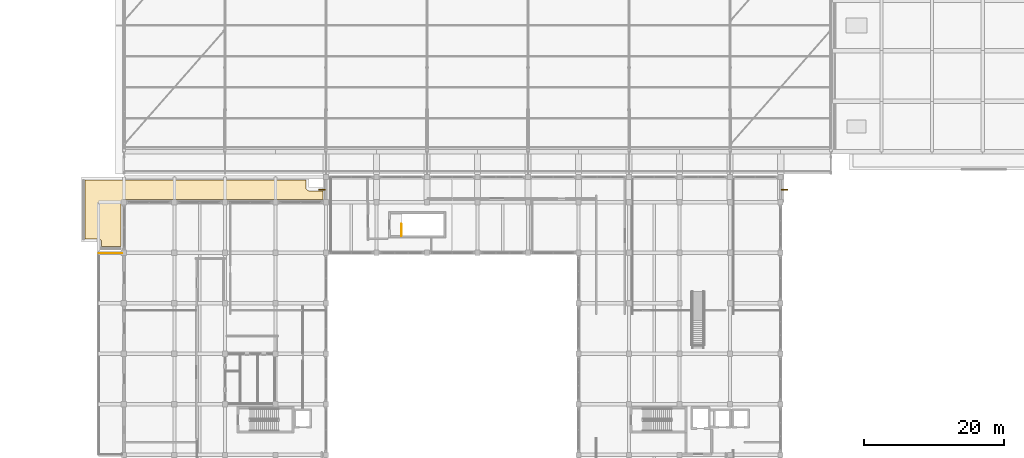
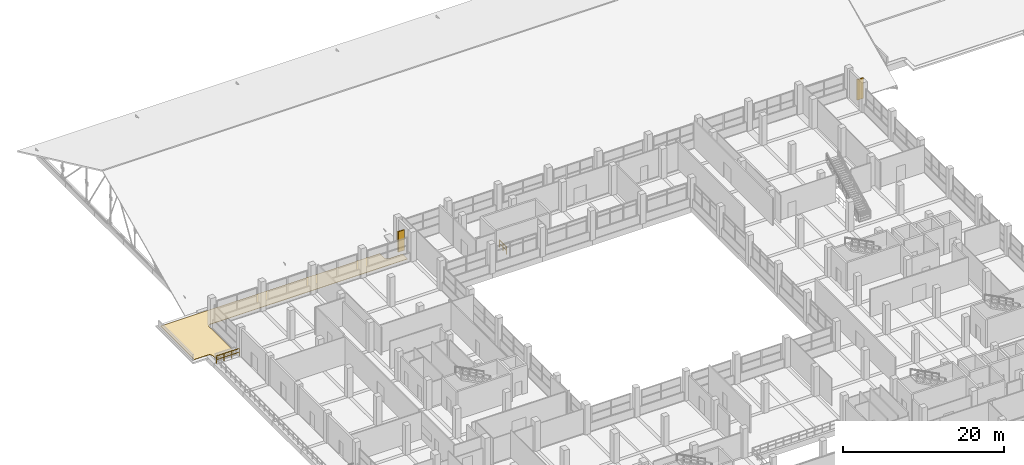
# One storey, part 140 of 141: 2 railings, 2 shading devices, 1 covering.
"""IFC4 building model written with IfcOpenShell, lengths in metres."""

from ifc_helpers import new_model, si_unit, direction, frame, origin, origin_2d, place, context, subcontext, project, spatial, polyline, rectangle, circle, outline, extrude, material, layer, layer_set, type_object, element, save


model = new_model("IFC4")

# Units and contexts
model_context = context("Model", 3, precision=1e-05, world=origin(), true_north=direction((0.0, 1.0)))
body_context = subcontext(model_context, "Body", "Model", "MODEL_VIEW")
ifc_project = project(units=[si_unit("LENGTHUNIT", "METRE"), si_unit("AREAUNIT", "SQUARE_METRE"), si_unit("VOLUMEUNIT", "CUBIC_METRE"), si_unit("PLANEANGLEUNIT", "RADIAN"), si_unit("MASSUNIT", "GRAM", prefix="KILO")], contexts=[model_context])

# Site, building, storey
site_placement = place(None, origin())
site = spatial("IfcSite", under=ifc_project, at=site_placement, CompositionType="ELEMENT")
building_placement = place(site_placement, origin())
building = spatial("IfcBuilding", under=site, at=building_placement, Name="Seraya Terrace Polytechnic", CompositionType="ELEMENT")
storey_placement = place(building_placement, frame((0.0, 0.0, 14.39990234375)))
storey = spatial("IfcBuildingStorey", under=building, at=storey_placement, Name="L03", CompositionType="ELEMENT", Elevation=14.39990234375)

# Shading devices
ifc_material_1 = material(Name="Precast concrete C40/50", Category="concrete")
shading_device_type = type_object("IfcShadingDeviceType", Name="BS-F1", PredefinedType="JALOUSIE", material=ifc_material_1)
for number, where, z_axis, x_axis, name in (
    (1, (42.6298828125, 73.800048828125, 0.449951171875), (0.0, 0.0, 1.0), (-1.0, 0.0, 0.0), "Precast concrete brise-soleil fin L03"),
    (2, (108.570068359375, 73.800048828125, 0.449951171875), (0.0, 0.0, 1.0), (1.0, 0.0, 0.0), "Precast concrete brise-soleil fin L03"),
):
    element("IfcShadingDevice", number, at=place(storey_placement, frame(where, z_axis=z_axis, x_axis=x_axis)), inside=storey, type_object=shading_device_type, Name=name, PredefinedType="JALOUSIE", context=body_context, shape_type="SweptSolid", body=[
        extrude(rectangle(XDim=0.89990234375, YDim=0.14990234375, at=origin_2d()), origin(), (0.0, 0.0, 1.0), 3.10009765625),
    ])

# Railings
ifc_material_2 = material(Name="Steel S355J2", Category="steel")
railing_type_1 = type_object("IfcRailingType", Name="GR-01", PredefinedType="GUARDRAIL", material=ifc_material_2)
railing_1_placement = place(storey_placement, frame((14.159912109375, 64.739990234375, 0.0)))
element("IfcRailing", 3, at=railing_1_placement, inside=storey, type_object=railing_type_1, Name="Terrace perimeter guardrail TERR-L03-W N1", PredefinedType="GUARDRAIL", context=body_context, shape_type="SweptSolid", body=[
    extrude(circle(Radius=0.02392578125, at=origin_2d()), frame((0.0, 0.0, 1.10595703125), z_axis=(-1.0, 0.0, 0.0), x_axis=(0.0, -1.0, 0.0)), (0.0, 0.0, 1.0), 3.2998046875),
    extrude(circle(Radius=0.02392578125, at=origin_2d()), frame((0.0, 0.0, 0.550048828125), z_axis=(-1.0, 0.0, 0.0), x_axis=(0.0, -1.0, 0.0)), (0.0, 0.0, 1.0), 3.2998046875),
    extrude(circle(Radius=0.02099609375, at=origin_2d()), origin(), (0.0, 0.0, 1.0), 1.081787109375),
    extrude(circle(Radius=0.02099609375, at=origin_2d()), frame((-1.099853515625, 0.0, 0.0)), (0.0, 0.0, 1.0), 1.081787109375),
    extrude(circle(Radius=0.02099609375, at=origin_2d()), frame((-2.199951171875, 0.0, 0.0)), (0.0, 0.0, 1.0), 1.081787109375),
    extrude(circle(Radius=0.02099609375, at=origin_2d()), frame((-3.2998046875, 0.0, 0.0)), (0.0, 0.0, 1.0), 1.081787109375),
])
railing_type_2 = type_object("IfcRailingType", Name="GR-02", PredefinedType="GUARDRAIL", material=ifc_material_2)
railing_2_placement = place(storey_placement, frame((53.949951171875, 67.199951171875, 0.0)))
element("IfcRailing", 4, at=railing_2_placement, inside=storey, type_object=railing_type_2, Name="L03 ST-06 top well guard 1", PredefinedType="GUARDRAIL", context=body_context, shape_type="SweptSolid", body=[
    extrude(circle(Radius=0.02392578125, at=origin_2d()), frame((0.0, 0.0, 1.10595703125), z_axis=(0.0, 1.0, 0.0), x_axis=(-1.0, 0.0, 0.0)), (0.0, 0.0, 1.0), 1.699951171875),
    extrude(circle(Radius=0.02392578125, at=origin_2d()), frame((0.0, 0.0, 0.550048828125), z_axis=(0.0, 1.0, 0.0), x_axis=(-1.0, 0.0, 0.0)), (0.0, 0.0, 1.0), 1.699951171875),
    extrude(circle(Radius=0.02099609375, at=origin_2d()), origin(), (0.0, 0.0, 1.0), 1.081787109375),
    extrude(circle(Radius=0.02099609375, at=origin_2d()), frame((0.0, 0.85009765625, 0.0)), (0.0, 0.0, 1.0), 1.081787109375),
    extrude(circle(Radius=0.02099609375, at=origin_2d()), frame((0.0, 1.699951171875, 0.0)), (0.0, 0.0, 1.0), 1.081787109375),
])

# Covering
ifc_material_3 = material(Name="Insulated TPO waterproof roofing membrane")
ifc_layer = layer(ifc_material_3, 0.06005859375, Name="RF-C1")
ifc_layer_set = layer_set([ifc_layer], Name="Insulated TPO waterproof roofing membrane")
covering_type = type_object("IfcCoveringType", Name="RF-C1", PredefinedType="ROOFING", material=ifc_layer_set)
covering_placement = place(storey_placement, origin())
element("IfcCovering", 5, at=covering_placement, inside=storey, type_object=covering_type, Name="Waterproof TPO roof covering ROOF-L03-WEST", PredefinedType="ROOFING", context=body_context, shape_type="SweptSolid", body=[
    extrude(outline(polyline([(11.25, 66.31201171875), (11.230712890625, 66.442626953125), (11.14794921875, 66.597412109375), (11.050048828125, 66.686279296875), (10.8876953125, 66.75341796875), (8.85009765625, 66.761962890625), (8.85009765625, 75.14990234375), (40.35009765625, 75.14990234375), (40.352294921875, 74.0439453125), (40.369384765625, 73.95751953125), (40.42578125, 73.837890625), (40.550048828125, 73.7138671875), (40.66943359375, 73.657470703125), (40.800048828125, 73.637939453125), (42.75, 73.637939453125), (42.75, 72.39501953125), (14.37109375, 72.38623046875), (14.246826171875, 72.341796875), (14.140869140625, 72.26318359375), (14.062255859375, 72.1572265625), (14.01123046875, 71.9892578125), (14.00537109375, 65.66650390625), (11.25, 65.66943359375), (11.25, 66.31201171875)])), origin(), (0.0, 0.0, 1.0), 0.06005859375),
])

save(model, "model.ifc")
